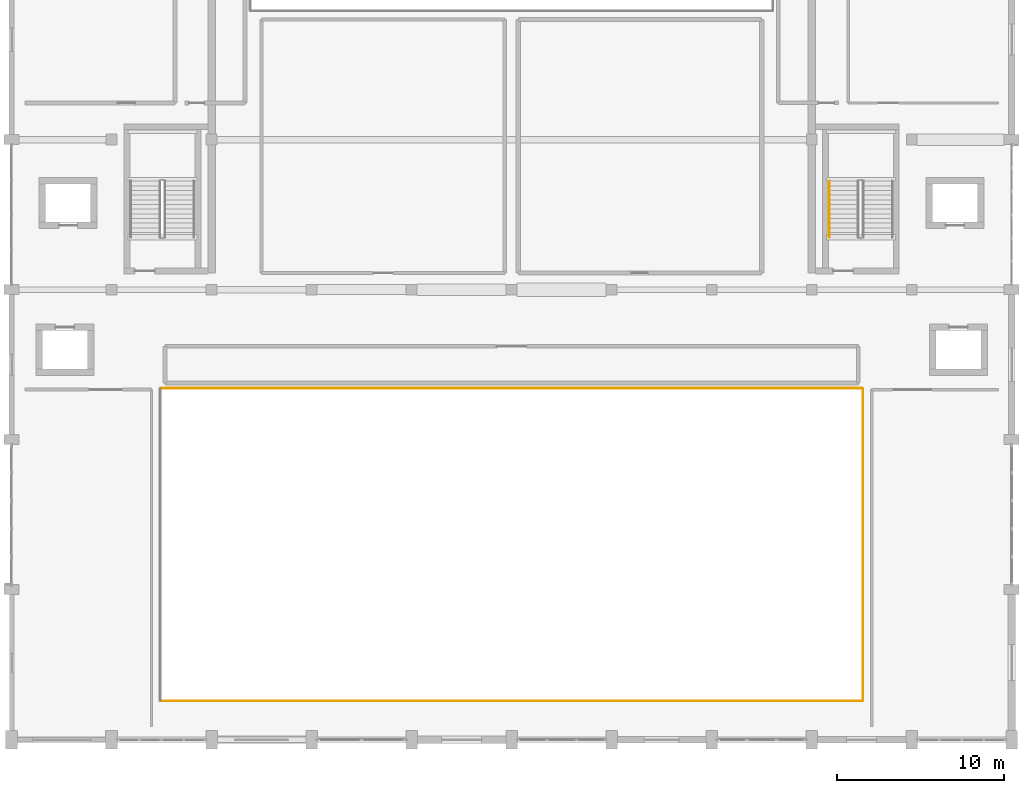
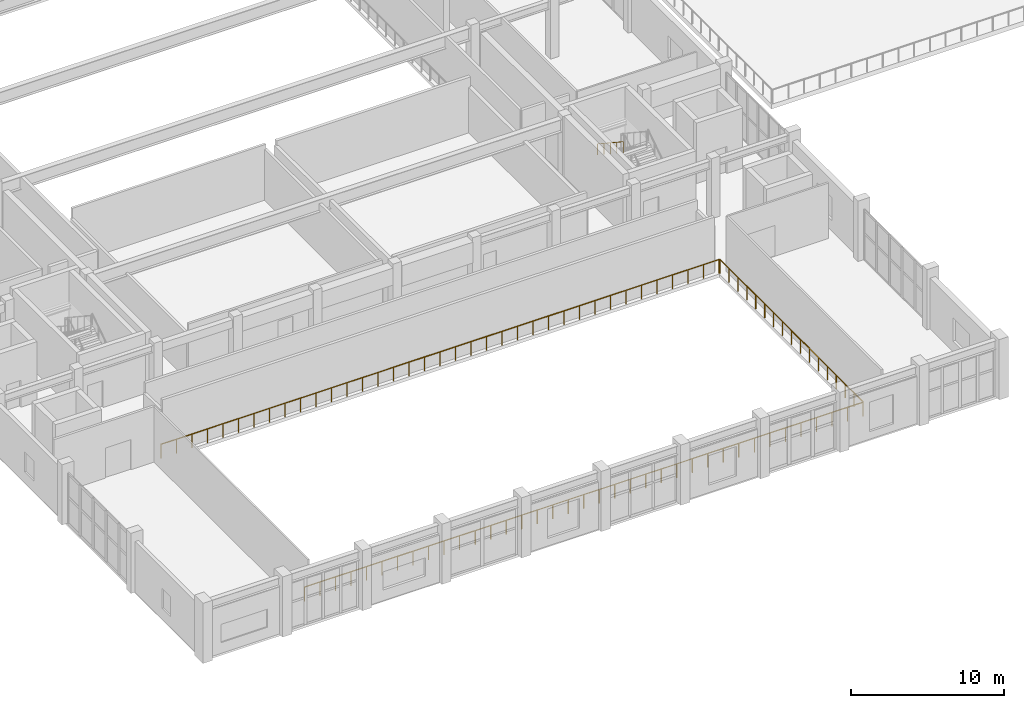
# One storey, part 54 of 62: 4 railings.
"""IFC4 building model written with IfcOpenShell, lengths in metres."""

from ifc_helpers import new_model, si_unit, direction, frame, origin, origin_2d, place, context, subcontext, project, spatial, circle, extrude, material, type_object, element, save


model = new_model("IFC4")

# Units and contexts
model_context = context("Model", 3, precision=1e-05, world=origin(), true_north=direction((0.0, 1.0)))
body_context = subcontext(model_context, "Body", "Model", "MODEL_VIEW")
ifc_project = project(units=[si_unit("LENGTHUNIT", "METRE"), si_unit("AREAUNIT", "SQUARE_METRE"), si_unit("VOLUMEUNIT", "CUBIC_METRE"), si_unit("PLANEANGLEUNIT", "RADIAN"), si_unit("MASSUNIT", "GRAM", prefix="KILO")], contexts=[model_context])

# Site, building, storey
site_placement = place(None, origin())
site = spatial("IfcSite", under=ifc_project, at=site_placement, CompositionType="ELEMENT")
building_placement = place(site_placement, origin())
building = spatial("IfcBuilding", under=site, at=building_placement, Name="Vaelkrest Opera House", CompositionType="ELEMENT")
storey_placement = place(building_placement, frame((0.0, 0.0, 19.800048828125)))
storey = spatial("IfcBuildingStorey", under=building, at=storey_placement, Name="L04", CompositionType="ELEMENT", Elevation=19.800048828125)

# Railings
ifc_material = material(Name="Dark bronze anodized aluminium", Category="aluminium")
railing_type_1 = type_object("IfcRailingType", Name="BL01", PredefinedType="BALUSTRADE", material=ifc_material)
railing_1_placement = place(storey_placement, frame((-21.0400390625, -53.47998046875, 0.0)))
element("IfcRailing", 1, at=railing_1_placement, inside=storey, type_object=railing_type_1, Name="Atrium/stage void guard V1 L04-2 seg 1", PredefinedType="BALUSTRADE", context=body_context, shape_type="SweptSolid", body=[
    extrude(circle(Radius=0.02392578125, at=origin_2d()), frame((0.0, 0.0, 1.09619140625), z_axis=(1.0, 0.0, 0.0), x_axis=(0.0, 1.0, 0.0)), (0.0, 0.0, 1.0), 42.080078125),
    extrude(circle(Radius=0.02099609375, at=origin_2d()), origin(), (0.0, 0.0, 1.0), 1.072021484375),
    extrude(circle(Radius=0.02099609375, at=origin_2d()), frame((1.1689453125, 0.0, 0.0)), (0.0, 0.0, 1.0), 1.072021484375),
    extrude(circle(Radius=0.02099609375, at=origin_2d()), frame((2.337890625, 0.0, 0.0)), (0.0, 0.0, 1.0), 1.072021484375),
    extrude(circle(Radius=0.02099609375, at=origin_2d()), frame((3.506591796875, 0.0, 0.0)), (0.0, 0.0, 1.0), 1.072021484375),
    extrude(circle(Radius=0.02099609375, at=origin_2d()), frame((4.675537109375, 0.0, 0.0)), (0.0, 0.0, 1.0), 1.072021484375),
    extrude(circle(Radius=0.02099609375, at=origin_2d()), frame((5.844482421875, 0.0, 0.0)), (0.0, 0.0, 1.0), 1.072021484375),
    extrude(circle(Radius=0.02099609375, at=origin_2d()), frame((7.013427734375, 0.0, 0.0)), (0.0, 0.0, 1.0), 1.072021484375),
    extrude(circle(Radius=0.02099609375, at=origin_2d()), frame((8.18212890625, 0.0, 0.0)), (0.0, 0.0, 1.0), 1.072021484375),
    extrude(circle(Radius=0.02099609375, at=origin_2d()), frame((9.35107421875, 0.0, 0.0)), (0.0, 0.0, 1.0), 1.072021484375),
    extrude(circle(Radius=0.02099609375, at=origin_2d()), frame((10.52001953125, 0.0, 0.0)), (0.0, 0.0, 1.0), 1.072021484375),
    extrude(circle(Radius=0.02099609375, at=origin_2d()), frame((11.68896484375, 0.0, 0.0)), (0.0, 0.0, 1.0), 1.072021484375),
    extrude(circle(Radius=0.02099609375, at=origin_2d()), frame((12.85791015625, 0.0, 0.0)), (0.0, 0.0, 1.0), 1.072021484375),
    extrude(circle(Radius=0.02099609375, at=origin_2d()), frame((14.026611328125, 0.0, 0.0)), (0.0, 0.0, 1.0), 1.072021484375),
    extrude(circle(Radius=0.02099609375, at=origin_2d()), frame((15.195556640625, 0.0, 0.0)), (0.0, 0.0, 1.0), 1.072021484375),
    extrude(circle(Radius=0.02099609375, at=origin_2d()), frame((16.364501953125, 0.0, 0.0)), (0.0, 0.0, 1.0), 1.072021484375),
    extrude(circle(Radius=0.02099609375, at=origin_2d()), frame((17.533447265625, 0.0, 0.0)), (0.0, 0.0, 1.0), 1.072021484375),
    extrude(circle(Radius=0.02099609375, at=origin_2d()), frame((18.7021484375, 0.0, 0.0)), (0.0, 0.0, 1.0), 1.072021484375),
    extrude(circle(Radius=0.02099609375, at=origin_2d()), frame((19.87109375, 0.0, 0.0)), (0.0, 0.0, 1.0), 1.072021484375),
    extrude(circle(Radius=0.02099609375, at=origin_2d()), frame((21.0400390625, 0.0, 0.0)), (0.0, 0.0, 1.0), 1.072021484375),
    extrude(circle(Radius=0.02099609375, at=origin_2d()), frame((22.208984375, 0.0, 0.0)), (0.0, 0.0, 1.0), 1.072021484375),
    extrude(circle(Radius=0.02099609375, at=origin_2d()), frame((23.3779296875, 0.0, 0.0)), (0.0, 0.0, 1.0), 1.072021484375),
    extrude(circle(Radius=0.02099609375, at=origin_2d()), frame((24.546630859375, 0.0, 0.0)), (0.0, 0.0, 1.0), 1.072021484375),
    extrude(circle(Radius=0.02099609375, at=origin_2d()), frame((25.715576171875, 0.0, 0.0)), (0.0, 0.0, 1.0), 1.072021484375),
    extrude(circle(Radius=0.02099609375, at=origin_2d()), frame((26.884521484375, 0.0, 0.0)), (0.0, 0.0, 1.0), 1.072021484375),
    extrude(circle(Radius=0.02099609375, at=origin_2d()), frame((28.053466796875, 0.0, 0.0)), (0.0, 0.0, 1.0), 1.072021484375),
    extrude(circle(Radius=0.02099609375, at=origin_2d()), frame((29.22216796875, 0.0, 0.0)), (0.0, 0.0, 1.0), 1.072021484375),
    extrude(circle(Radius=0.02099609375, at=origin_2d()), frame((30.39111328125, 0.0, 0.0)), (0.0, 0.0, 1.0), 1.072021484375),
    extrude(circle(Radius=0.02099609375, at=origin_2d()), frame((31.56005859375, 0.0, 0.0)), (0.0, 0.0, 1.0), 1.072021484375),
    extrude(circle(Radius=0.02099609375, at=origin_2d()), frame((32.72900390625, 0.0, 0.0)), (0.0, 0.0, 1.0), 1.072021484375),
    extrude(circle(Radius=0.02099609375, at=origin_2d()), frame((33.89794921875, 0.0, 0.0)), (0.0, 0.0, 1.0), 1.072021484375),
    extrude(circle(Radius=0.02099609375, at=origin_2d()), frame((35.066650390625, 0.0, 0.0)), (0.0, 0.0, 1.0), 1.072021484375),
    extrude(circle(Radius=0.02099609375, at=origin_2d()), frame((36.235595703125, 0.0, 0.0)), (0.0, 0.0, 1.0), 1.072021484375),
    extrude(circle(Radius=0.02099609375, at=origin_2d()), frame((37.404541015625, 0.0, 0.0)), (0.0, 0.0, 1.0), 1.072021484375),
    extrude(circle(Radius=0.02099609375, at=origin_2d()), frame((38.573486328125, 0.0, 0.0)), (0.0, 0.0, 1.0), 1.072021484375),
    extrude(circle(Radius=0.02099609375, at=origin_2d()), frame((39.7421875, 0.0, 0.0)), (0.0, 0.0, 1.0), 1.072021484375),
    extrude(circle(Radius=0.02099609375, at=origin_2d()), frame((40.9111328125, 0.0, 0.0)), (0.0, 0.0, 1.0), 1.072021484375),
    extrude(circle(Radius=0.02099609375, at=origin_2d()), frame((42.080078125, 0.0, 0.0)), (0.0, 0.0, 1.0), 1.072021484375),
])
railing_2_placement = place(storey_placement, frame((21.080078125, -53.43994140625, 0.0)))
element("IfcRailing", 2, at=railing_2_placement, inside=storey, type_object=railing_type_1, Name="Atrium/stage void guard V1 L04-2 seg 2", PredefinedType="BALUSTRADE", context=body_context, shape_type="SweptSolid", body=[
    extrude(circle(Radius=0.02392578125, at=origin_2d()), frame((0.0, 0.0, 1.09619140625), z_axis=(0.0, 1.0, 0.0), x_axis=(-1.0, 0.0, 0.0)), (0.0, 0.0, 1.0), 18.679931640625),
    extrude(circle(Radius=0.02099609375, at=origin_2d()), origin(), (0.0, 0.0, 1.0), 1.072021484375),
    extrude(circle(Radius=0.02099609375, at=origin_2d()), frame((0.0, 1.16748046875, 0.0)), (0.0, 0.0, 1.0), 1.072021484375),
    extrude(circle(Radius=0.02099609375, at=origin_2d()), frame((0.0, 2.3349609375, 0.0)), (0.0, 0.0, 1.0), 1.072021484375),
    extrude(circle(Radius=0.02099609375, at=origin_2d()), frame((0.0, 3.50244140625, 0.0)), (0.0, 0.0, 1.0), 1.072021484375),
    extrude(circle(Radius=0.02099609375, at=origin_2d()), frame((0.0, 4.669921875, 0.0)), (0.0, 0.0, 1.0), 1.072021484375),
    extrude(circle(Radius=0.02099609375, at=origin_2d()), frame((0.0, 5.83740234375, 0.0)), (0.0, 0.0, 1.0), 1.072021484375),
    extrude(circle(Radius=0.02099609375, at=origin_2d()), frame((0.0, 7.0048828125, 0.0)), (0.0, 0.0, 1.0), 1.072021484375),
    extrude(circle(Radius=0.02099609375, at=origin_2d()), frame((0.0, 8.17236328125, 0.0)), (0.0, 0.0, 1.0), 1.072021484375),
    extrude(circle(Radius=0.02099609375, at=origin_2d()), frame((0.0, 9.33984375, 0.0)), (0.0, 0.0, 1.0), 1.072021484375),
    extrude(circle(Radius=0.02099609375, at=origin_2d()), frame((0.0, 10.507568359375, 0.0)), (0.0, 0.0, 1.0), 1.072021484375),
    extrude(circle(Radius=0.02099609375, at=origin_2d()), frame((0.0, 11.675048828125, 0.0)), (0.0, 0.0, 1.0), 1.072021484375),
    extrude(circle(Radius=0.02099609375, at=origin_2d()), frame((0.0, 12.842529296875, 0.0)), (0.0, 0.0, 1.0), 1.072021484375),
    extrude(circle(Radius=0.02099609375, at=origin_2d()), frame((0.0, 14.010009765625, 0.0)), (0.0, 0.0, 1.0), 1.072021484375),
    extrude(circle(Radius=0.02099609375, at=origin_2d()), frame((0.0, 15.177490234375, 0.0)), (0.0, 0.0, 1.0), 1.072021484375),
    extrude(circle(Radius=0.02099609375, at=origin_2d()), frame((0.0, 16.344970703125, 0.0)), (0.0, 0.0, 1.0), 1.072021484375),
    extrude(circle(Radius=0.02099609375, at=origin_2d()), frame((0.0, 17.512451171875, 0.0)), (0.0, 0.0, 1.0), 1.072021484375),
    extrude(circle(Radius=0.02099609375, at=origin_2d()), frame((0.0, 18.679931640625, 0.0)), (0.0, 0.0, 1.0), 1.072021484375),
])
railing_3_placement = place(storey_placement, frame((21.0400390625, -34.719970703125, 0.0)))
element("IfcRailing", 3, at=railing_3_placement, inside=storey, type_object=railing_type_1, Name="Atrium/stage void guard V1 L04-2 seg 3", PredefinedType="BALUSTRADE", context=body_context, shape_type="SweptSolid", body=[
    extrude(circle(Radius=0.02392578125, at=origin_2d()), frame((0.0, 0.0, 1.09619140625), z_axis=(-1.0, 0.0, 0.0), x_axis=(0.0, -1.0, 0.0)), (0.0, 0.0, 1.0), 42.080078125),
    extrude(circle(Radius=0.02099609375, at=origin_2d()), origin(), (0.0, 0.0, 1.0), 1.072021484375),
    extrude(circle(Radius=0.02099609375, at=origin_2d()), frame((-1.1689453125, 0.0, 0.0)), (0.0, 0.0, 1.0), 1.072021484375),
    extrude(circle(Radius=0.02099609375, at=origin_2d()), frame((-2.337890625, 0.0, 0.0)), (0.0, 0.0, 1.0), 1.072021484375),
    extrude(circle(Radius=0.02099609375, at=origin_2d()), frame((-3.506591796875, 0.0, 0.0)), (0.0, 0.0, 1.0), 1.072021484375),
    extrude(circle(Radius=0.02099609375, at=origin_2d()), frame((-4.675537109375, 0.0, 0.0)), (0.0, 0.0, 1.0), 1.072021484375),
    extrude(circle(Radius=0.02099609375, at=origin_2d()), frame((-5.844482421875, 0.0, 0.0)), (0.0, 0.0, 1.0), 1.072021484375),
    extrude(circle(Radius=0.02099609375, at=origin_2d()), frame((-7.013427734375, 0.0, 0.0)), (0.0, 0.0, 1.0), 1.072021484375),
    extrude(circle(Radius=0.02099609375, at=origin_2d()), frame((-8.18212890625, 0.0, 0.0)), (0.0, 0.0, 1.0), 1.072021484375),
    extrude(circle(Radius=0.02099609375, at=origin_2d()), frame((-9.35107421875, 0.0, 0.0)), (0.0, 0.0, 1.0), 1.072021484375),
    extrude(circle(Radius=0.02099609375, at=origin_2d()), frame((-10.52001953125, 0.0, 0.0)), (0.0, 0.0, 1.0), 1.072021484375),
    extrude(circle(Radius=0.02099609375, at=origin_2d()), frame((-11.68896484375, 0.0, 0.0)), (0.0, 0.0, 1.0), 1.072021484375),
    extrude(circle(Radius=0.02099609375, at=origin_2d()), frame((-12.85791015625, 0.0, 0.0)), (0.0, 0.0, 1.0), 1.072021484375),
    extrude(circle(Radius=0.02099609375, at=origin_2d()), frame((-14.026611328125, 0.0, 0.0)), (0.0, 0.0, 1.0), 1.072021484375),
    extrude(circle(Radius=0.02099609375, at=origin_2d()), frame((-15.195556640625, 0.0, 0.0)), (0.0, 0.0, 1.0), 1.072021484375),
    extrude(circle(Radius=0.02099609375, at=origin_2d()), frame((-16.364501953125, 0.0, 0.0)), (0.0, 0.0, 1.0), 1.072021484375),
    extrude(circle(Radius=0.02099609375, at=origin_2d()), frame((-17.533447265625, 0.0, 0.0)), (0.0, 0.0, 1.0), 1.072021484375),
    extrude(circle(Radius=0.02099609375, at=origin_2d()), frame((-18.7021484375, 0.0, 0.0)), (0.0, 0.0, 1.0), 1.072021484375),
    extrude(circle(Radius=0.02099609375, at=origin_2d()), frame((-19.87109375, 0.0, 0.0)), (0.0, 0.0, 1.0), 1.072021484375),
    extrude(circle(Radius=0.02099609375, at=origin_2d()), frame((-21.0400390625, 0.0, 0.0)), (0.0, 0.0, 1.0), 1.072021484375),
    extrude(circle(Radius=0.02099609375, at=origin_2d()), frame((-22.208984375, 0.0, 0.0)), (0.0, 0.0, 1.0), 1.072021484375),
    extrude(circle(Radius=0.02099609375, at=origin_2d()), frame((-23.3779296875, 0.0, 0.0)), (0.0, 0.0, 1.0), 1.072021484375),
    extrude(circle(Radius=0.02099609375, at=origin_2d()), frame((-24.546630859375, 0.0, 0.0)), (0.0, 0.0, 1.0), 1.072021484375),
    extrude(circle(Radius=0.02099609375, at=origin_2d()), frame((-25.715576171875, 0.0, 0.0)), (0.0, 0.0, 1.0), 1.072021484375),
    extrude(circle(Radius=0.02099609375, at=origin_2d()), frame((-26.884521484375, 0.0, 0.0)), (0.0, 0.0, 1.0), 1.072021484375),
    extrude(circle(Radius=0.02099609375, at=origin_2d()), frame((-28.053466796875, 0.0, 0.0)), (0.0, 0.0, 1.0), 1.072021484375),
    extrude(circle(Radius=0.02099609375, at=origin_2d()), frame((-29.22216796875, 0.0, 0.0)), (0.0, 0.0, 1.0), 1.072021484375),
    extrude(circle(Radius=0.02099609375, at=origin_2d()), frame((-30.39111328125, 0.0, 0.0)), (0.0, 0.0, 1.0), 1.072021484375),
    extrude(circle(Radius=0.02099609375, at=origin_2d()), frame((-31.56005859375, 0.0, 0.0)), (0.0, 0.0, 1.0), 1.072021484375),
    extrude(circle(Radius=0.02099609375, at=origin_2d()), frame((-32.72900390625, 0.0, 0.0)), (0.0, 0.0, 1.0), 1.072021484375),
    extrude(circle(Radius=0.02099609375, at=origin_2d()), frame((-33.89794921875, 0.0, 0.0)), (0.0, 0.0, 1.0), 1.072021484375),
    extrude(circle(Radius=0.02099609375, at=origin_2d()), frame((-35.066650390625, 0.0, 0.0)), (0.0, 0.0, 1.0), 1.072021484375),
    extrude(circle(Radius=0.02099609375, at=origin_2d()), frame((-36.235595703125, 0.0, 0.0)), (0.0, 0.0, 1.0), 1.072021484375),
    extrude(circle(Radius=0.02099609375, at=origin_2d()), frame((-37.404541015625, 0.0, 0.0)), (0.0, 0.0, 1.0), 1.072021484375),
    extrude(circle(Radius=0.02099609375, at=origin_2d()), frame((-38.573486328125, 0.0, 0.0)), (0.0, 0.0, 1.0), 1.072021484375),
    extrude(circle(Radius=0.02099609375, at=origin_2d()), frame((-39.7421875, 0.0, 0.0)), (0.0, 0.0, 1.0), 1.072021484375),
    extrude(circle(Radius=0.02099609375, at=origin_2d()), frame((-40.9111328125, 0.0, 0.0)), (0.0, 0.0, 1.0), 1.072021484375),
    extrude(circle(Radius=0.02099609375, at=origin_2d()), frame((-42.080078125, 0.0, 0.0)), (0.0, 0.0, 1.0), 1.072021484375),
])
railing_type_2 = type_object("IfcRailingType", Name="HR02", PredefinedType="HANDRAIL", material=ifc_material)
railing_4_placement = place(storey_placement, frame((19.050048828125, -22.2900390625, 2.58447265625)))
element("IfcRailing", 4, at=railing_4_placement, inside=storey, type_object=railing_type_2, Name="L04 ST02 stair handrail 2", PredefinedType="HANDRAIL", context=body_context, shape_type="SweptSolid", body=[
    extrude(circle(Radius=0.02392578125, at=origin_2d()), frame((0.0, 0.0, 0.8759765625), z_axis=(0.0, -0.83483021737, 0.550507500554), x_axis=(1.0, 0.0, 0.0)), (0.0, 0.0, 1.0), 4.024658203125),
    extrude(circle(Radius=0.02099609375, at=origin_2d()), origin(), (0.0, 0.0, 1.0), 0.851806640625),
    extrude(circle(Radius=0.02099609375, at=origin_2d()), frame((0.0, -0.83984375, 0.553955078125)), (0.0, 0.0, 1.0), 0.851806640625),
    extrude(circle(Radius=0.02099609375, at=origin_2d()), frame((0.0, -1.679931640625, 1.10791015625)), (0.0, 0.0, 1.0), 0.851806640625),
    extrude(circle(Radius=0.02099609375, at=origin_2d()), frame((0.0, -2.52001953125, 1.66162109375)), (0.0, 0.0, 1.0), 0.851806640625),
    extrude(circle(Radius=0.02099609375, at=origin_2d()), frame((0.0, -3.35986328125, 2.215576171875)), (0.0, 0.0, 1.0), 0.851806640625),
])

save(model, "model.ifc")
